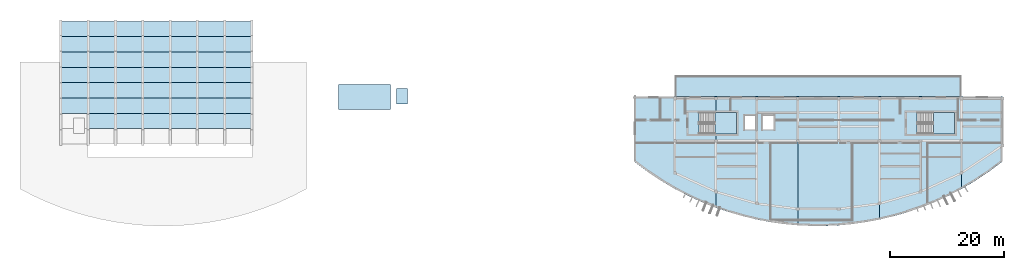
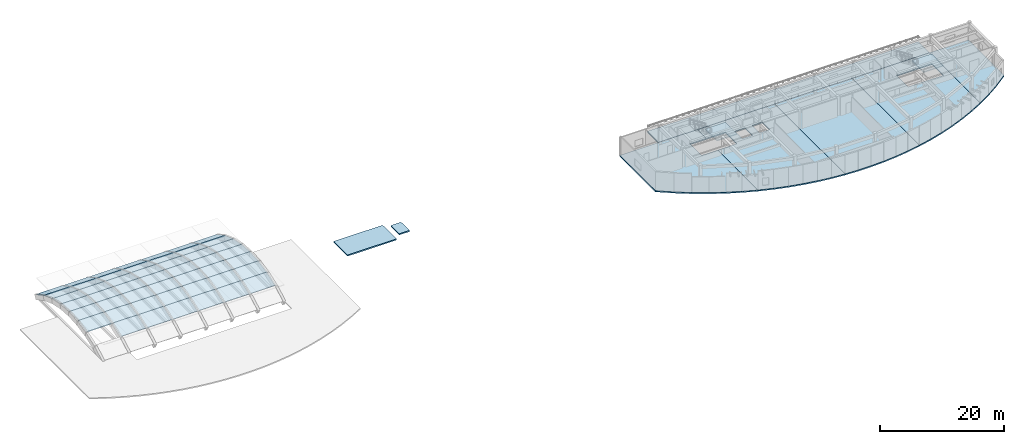
# One storey, part 3 of 11: 58 slabs, 2 elements without a shape of their own.
"""IFC4 building model written with IfcOpenShell, lengths in metres."""

from ifc_helpers import new_model, si_unit, direction, frame, origin, place, context, subcontext, project, spatial, polyline, outline, extrude, material, layer, layer_set, type_object, element, aggregate, save


model = new_model("IFC4")

# Units and contexts
model_context = context("Model", 3, precision=1e-05, world=origin(), true_north=direction((0.0, 1.0)))
body_context = subcontext(model_context, "Body", "Model", "MODEL_VIEW")
ifc_project = project(units=[si_unit("LENGTHUNIT", "METRE"), si_unit("AREAUNIT", "SQUARE_METRE"), si_unit("VOLUMEUNIT", "CUBIC_METRE"), si_unit("PLANEANGLEUNIT", "RADIAN"), si_unit("MASSUNIT", "GRAM", prefix="KILO")], contexts=[model_context])

# Site, building, storey
site_placement = place(None, origin())
site = spatial("IfcSite", under=ifc_project, at=site_placement, CompositionType="ELEMENT")
building_placement = place(site_placement, origin())
building = spatial("IfcBuilding", under=site, at=building_placement, Name="Brisavento Harbour Community Centre", CompositionType="ELEMENT")
storey_placement = place(building_placement, frame((0.0, 0.0, 16.800048828125)))
storey = spatial("IfcBuildingStorey", under=building, at=storey_placement, Name="L04", CompositionType="ELEMENT", Elevation=16.800048828125)

# Slabs
ifc_material_1 = material(Name="Concrete C35/45", Category="concrete")
ifc_layer_1 = layer(ifc_material_1, 0.239990234375, Name="Concrete C35/45")
ifc_layer_set_1 = layer_set([ifc_layer_1], Name="Concrete C35/45")
slab_type_1 = type_object("IfcSlabType", Name="SLB-FLR-240", PredefinedType="FLOOR", material=ifc_layer_set_1)
slab_1_placement = place(storey_placement, frame((0.0, 0.0, -0.239990234375)))
element("IfcSlab", 1, at=slab_1_placement, inside=storey, type_object=slab_type_1, Name="L04 V3 structural floor slab 051", PredefinedType="FLOOR", context=body_context, shape_type="SweptSolid", body=[
    extrude(outline(polyline([(108.0, 22.800048828125), (108.0, 11.32763671875), (110.39990234375, 9.526611328125), (112.800048828125, 7.92919921875), (115.199951171875, 6.51416015625), (117.60009765625, 5.264892578125), (120.0, 4.168701171875), (122.39990234375, 3.21484375), (122.39990234375, 16.2080078125), (119.407958984375, 16.2080078125), (119.407958984375, 19.94189453125), (122.39990234375, 19.94189453125), (122.39990234375, 22.800048828125), (108.0, 22.800048828125)])), origin(), (0.0, 0.0, 1.0), 0.239990234375),
])
slab_2_placement = place(storey_placement, frame((0.0, 0.0, -0.239990234375)))
element("IfcSlab", 2, at=slab_2_placement, inside=storey, type_object=slab_type_1, Name="L04 V3 structural floor slab 052", PredefinedType="FLOOR", context=body_context, shape_type="SweptSolid", body=[
    extrude(outline(polyline([(122.39990234375, 22.800048828125), (122.39990234375, 19.94189453125), (125.991943359375, 19.94189453125), (125.991943359375, 16.2080078125), (122.39990234375, 16.2080078125), (122.39990234375, 3.21484375), (124.800048828125, 2.395263671875), (127.199951171875, 1.703369140625), (129.60009765625, 1.1337890625), (132.0, 0.682861328125), (134.39990234375, 0.347412109375), (136.800048828125, 0.124755859375), (136.800048828125, 22.800048828125), (122.39990234375, 22.800048828125)]), holes=[polyline([(127.449951171875, 19.39990234375), (129.35009765625, 19.39990234375), (129.35009765625, 17.0), (127.449951171875, 17.0), (127.449951171875, 19.39990234375)]), polyline([(130.64990234375, 19.39990234375), (132.550048828125, 19.39990234375), (132.550048828125, 17.0), (130.64990234375, 17.0), (130.64990234375, 19.39990234375)])]), origin(), (0.0, 0.0, 1.0), 0.239990234375),
])
slab_3_placement = place(storey_placement, frame((0.0, 0.0, -0.239990234375)))
element("IfcSlab", 3, at=slab_3_placement, inside=storey, type_object=slab_type_1, Name="L04 V3 structural floor slab 053", PredefinedType="FLOOR", context=body_context, shape_type="SweptSolid", body=[
    extrude(outline(polyline([(136.800048828125, 22.800048828125), (136.800048828125, 0.124755859375), (139.199951171875, 0.013916015625), (141.60009765625, 0.013916015625), (144.0, 0.124755859375), (146.39990234375, 0.347412109375), (148.800048828125, 0.682861328125), (151.199951171875, 1.1337890625), (151.199951171875, 22.800048828125), (136.800048828125, 22.800048828125)])), origin(), (0.0, 0.0, 1.0), 0.239990234375),
])
slab_4_placement = place(storey_placement, frame((0.0, 0.0, -0.239990234375)))
element("IfcSlab", 4, at=slab_4_placement, inside=storey, type_object=slab_type_1, Name="L04 V3 structural floor slab 054", PredefinedType="FLOOR", context=body_context, shape_type="SweptSolid", body=[
    extrude(outline(polyline([(151.199951171875, 22.800048828125), (151.199951171875, 1.1337890625), (153.60009765625, 1.703369140625), (156.0, 2.395263671875), (158.39990234375, 3.21484375), (160.800048828125, 4.168701171875), (163.199951171875, 5.264892578125), (165.60009765625, 6.51416015625), (165.60009765625, 22.800048828125), (151.199951171875, 22.800048828125)]), holes=[polyline([(157.80810546875, 19.94189453125), (164.39208984375, 19.94189453125), (164.39208984375, 16.2080078125), (157.80810546875, 16.2080078125), (157.80810546875, 19.94189453125)])]), origin(), (0.0, 0.0, 1.0), 0.239990234375),
])
slab_5_placement = place(storey_placement, frame((0.0, 0.0, -0.239990234375)))
element("IfcSlab", 5, at=slab_5_placement, inside=storey, type_object=slab_type_1, Name="L04 V3 structural floor slab 055", PredefinedType="FLOOR", context=body_context, shape_type="SweptSolid", body=[
    extrude(outline(polyline([(165.60009765625, 22.800048828125), (165.60009765625, 6.51416015625), (168.0, 7.92919921875), (170.39990234375, 9.526611328125), (172.800048828125, 11.32763671875), (172.800048828125, 22.800048828125), (165.60009765625, 22.800048828125)])), origin(), (0.0, 0.0, 1.0), 0.239990234375),
])

# Stair, slab
stair_type = type_object("IfcStairType", Name="STR-DL-3900", PredefinedType="HALF_TURN_STAIR", material=ifc_material_1)
stair_1_placement = place(storey_placement, origin())
stair_1 = element("IfcStair", 6, at=stair_1_placement, inside=storey, type_object=stair_type, Name="L04 ST-04", PredefinedType="HALF_TURN_STAIR")
ifc_layer_2 = layer(ifc_material_1, 0.199951171875, Name="Concrete C35/45")
ifc_layer_set_2 = layer_set([ifc_layer_2], Name="Concrete C35/45")
slab_type_2 = type_object("IfcSlabType", Name="SLB-LND-200", PredefinedType="LANDING", material=ifc_layer_set_2)
slab_6_placement = place(storey_placement, frame((0.0, 0.0, 1.75)))
slab_6 = element("IfcSlab", 7, at=slab_6_placement, type_object=slab_type_2, Name="ST-04 landing 1", PredefinedType="LANDING", context=body_context, shape_type="SweptSolid", body=[
    extrude(outline(polyline([(122.25, 16.199951171875), (126.0, 16.199951171875), (126.0, 19.949951171875), (122.25, 19.949951171875), (122.25, 16.199951171875)])), origin(), (0.0, 0.0, 1.0), 0.199951171875),
])
aggregate(stair_1, [slab_6])

stair_2_placement = place(storey_placement, origin())
stair_2 = element("IfcStair", 8, at=stair_2_placement, inside=storey, type_object=stair_type, Name="L04 ST-05", PredefinedType="HALF_TURN_STAIR")
slab_7_placement = place(storey_placement, frame((0.0, 0.0, 1.75)))
slab_7 = element("IfcSlab", 9, at=slab_7_placement, type_object=slab_type_2, Name="ST-05 landing 1", PredefinedType="LANDING", context=body_context, shape_type="SweptSolid", body=[
    extrude(outline(polyline([(160.64990234375, 16.199951171875), (164.39990234375, 16.199951171875), (164.39990234375, 19.949951171875), (160.64990234375, 19.949951171875), (160.64990234375, 16.199951171875)])), origin(), (0.0, 0.0, 1.0), 0.199951171875),
])
aggregate(stair_2, [slab_7])

# Slabs
ifc_layer_3 = layer(ifc_material_1, 0.239990234375, Name="Concrete C35/45")
ifc_layer_set_3 = layer_set([ifc_layer_3], Name="Concrete C35/45")
slab_type_3 = type_object("IfcSlabType", Name="SLB-RF-240", PredefinedType="ROOF", material=ifc_layer_set_3)
slab_8_placement = place(storey_placement, frame((0.0, 0.0, -0.239990234375)))
element("IfcSlab", 10, at=slab_8_placement, inside=storey, type_object=slab_type_3, Name="L04 stair core C2 head roof slab", PredefinedType="ROOF", context=body_context, shape_type="SweptSolid", body=[
    extrude(outline(polyline([(56.050048828125, 20.449951171875), (65.14990234375, 20.449951171875), (65.14990234375, 24.89990234375), (56.050048828125, 24.89990234375), (56.050048828125, 20.449951171875)])), origin(), (0.0, 0.0, 1.0), 0.239990234375),
])
slab_9_placement = place(storey_placement, frame((0.0, 0.0, -0.239990234375)))
element("IfcSlab", 11, at=slab_9_placement, inside=storey, type_object=slab_type_3, Name="Lift LC-04 shaft overrun cap slab", PredefinedType="ROOF", context=body_context, shape_type="SweptSolid", body=[
    extrude(outline(polyline([(66.25, 21.449951171875), (68.14990234375, 21.449951171875), (68.14990234375, 24.14990234375), (66.25, 24.14990234375), (66.25, 21.449951171875)])), origin(), (0.0, 0.0, 1.0), 0.239990234375),
])
ifc_layer_4 = layer(ifc_material_1, 0.22998046875, Name="Concrete C35/45")
ifc_layer_set_4 = layer_set([ifc_layer_4], Name="Concrete C35/45")
slab_type_4 = type_object("IfcSlabType", Name="SLB-TER-230", PredefinedType="FLOOR", material=ifc_layer_set_4)
slab_10_placement = place(storey_placement, frame((0.0, 0.0, -0.22998046875)))
element("IfcSlab", 12, at=slab_10_placement, inside=storey, type_object=slab_type_4, Name="L04 V3 Courtyard Reading Terrace deck", PredefinedType="FLOOR", context=body_context, shape_type="SweptSolid", body=[
    extrude(outline(polyline([(115.199951171875, 22.800048828125), (165.60009765625, 22.800048828125), (165.60009765625, 26.39990234375), (115.199951171875, 26.39990234375), (115.199951171875, 22.800048828125)])), origin(), (0.0, 0.0, 1.0), 0.22998046875),
])
ifc_material_2 = material(Name="Concrete C40/50", Category="concrete")
ifc_layer_5 = layer(ifc_material_2, 0.159912109375, Name="Concrete C40/50")
ifc_layer_set_5 = layer_set([ifc_layer_5], Name="Concrete C40/50")
slab_type_5 = type_object("IfcSlabType", Name="SLB-VAULT-160", PredefinedType="ROOF", material=ifc_layer_set_5)
slab_11_placement = place(storey_placement, frame((7.199951171875, 19.800048828125, 2.450439453125), z_axis=(0.0, -0.204721170792, 0.978820331945), x_axis=(1.0, 0.0, 0.0)))
element("IfcSlab", 13, at=slab_11_placement, inside=storey, type_object=slab_type_5, Name="Main Hall barrel-vault shell bay 1 facet 3", PredefinedType="ROOF", context=body_context, shape_type="SweptSolid", body=[
    extrude(outline(polyline([(0.0, 0.0), (4.800048828125, 0.0), (4.800048828125, 2.7583725876526426), (0.0, 2.7583725876526426), (0.0, 0.0)])), origin(), (0.0, 0.0, -1.0), 0.159912109375),
])
for number, where, z_axis, x_axis, name in (
    (14, (7.199951171875, 22.5, 3.01513671875), (0.0, -0.068291231536, 0.997665428736), (1.0, 0.0, 0.0), "Main Hall barrel-vault shell bay 1 facet 4"),
    (15, (7.199951171875, 25.199951171875, 3.199951171875), (0.0, 0.068291231536, 0.997665428736), (1.0, 0.0, 0.0), "Main Hall barrel-vault shell bay 1 facet 5"),
):
    element("IfcSlab", number, at=place(storey_placement, frame(where, z_axis=z_axis, x_axis=x_axis)), inside=storey, type_object=slab_type_5, Name=name, PredefinedType="ROOF", context=body_context, shape_type="SweptSolid", body=[
        extrude(outline(polyline([(0.0, 0.0), (4.800048828125, 0.0), (4.800048828125, 2.706269150064915), (0.0, 2.706269150064915), (0.0, 0.0)])), origin(), (0.0, 0.0, -1.0), 0.159912109375),
    ])
slab_12_placement = place(storey_placement, frame((7.199951171875, 27.89990234375, 3.01513671875), z_axis=(0.0, 0.20470343641, 0.97882404094), x_axis=(1.0, 0.0, 0.0)))
element("IfcSlab", 16, at=slab_12_placement, inside=storey, type_object=slab_type_5, Name="Main Hall barrel-vault shell bay 1 facet 6", PredefinedType="ROOF", context=body_context, shape_type="SweptSolid", body=[
    extrude(outline(polyline([(0.0, 0.0), (4.800048828125, 0.0), (4.800048828125, 2.7586115579130244), (0.0, 2.7586115579130244), (0.0, 0.0)])), origin(), (0.0, 0.0, -1.0), 0.159912109375),
])
slab_13_placement = place(storey_placement, frame((7.199951171875, 30.60009765625, 2.450439453125), z_axis=(0.0, 0.341408660988, 0.939914956899), x_axis=(1.0, 0.0, 0.0)))
element("IfcSlab", 17, at=slab_13_placement, inside=storey, type_object=slab_type_5, Name="Main Hall barrel-vault shell bay 1 facet 7", PredefinedType="ROOF", context=body_context, shape_type="SweptSolid", body=[
    extrude(outline(polyline([(0.0, 0.0), (4.800048828125, 0.0), (4.800048828125, 2.872548364144149), (0.0, 2.872548364144149), (0.0, 0.0)])), origin(), (0.0, 0.0, -1.0), 0.159912109375),
])
slab_14_placement = place(storey_placement, frame((7.199951171875, 33.300048828125, 1.4697265625), z_axis=(0.0, 0.478106323748, 0.878301965836), x_axis=(1.0, 0.0, 0.0)))
element("IfcSlab", 18, at=slab_14_placement, inside=storey, type_object=slab_type_5, Name="Main Hall barrel-vault shell bay 1 facet 8", PredefinedType="ROOF", context=body_context, shape_type="SweptSolid", body=[
    extrude(outline(polyline([(0.0, 0.0), (4.800048828125, 0.0), (4.800048828125, 3.0740579856318995), (0.0, 3.0740579856318995), (0.0, 0.0)])), origin(), (0.0, 0.0, -1.0), 0.159912109375),
])
slab_15_placement = place(storey_placement, frame((12.0, 17.10009765625, 1.4697265625), z_axis=(0.0, -0.341408660988, 0.939914956899), x_axis=(1.0, 0.0, 0.0)))
element("IfcSlab", 19, at=slab_15_placement, inside=storey, type_object=slab_type_5, Name="Main Hall barrel-vault shell bay 2 facet 2", PredefinedType="ROOF", context=body_context, shape_type="SweptSolid", body=[
    extrude(outline(polyline([(0.0, 0.0), (4.800048828125, 0.0), (4.800048828125, 2.872548364144149), (0.0, 2.872548364144149), (0.0, 0.0)])), origin(), (0.0, 0.0, -1.0), 0.159912109375),
])
slab_16_placement = place(storey_placement, frame((12.0, 19.800048828125, 2.450439453125), z_axis=(0.0, -0.204721170792, 0.978820331945), x_axis=(1.0, 0.0, 0.0)))
element("IfcSlab", 20, at=slab_16_placement, inside=storey, type_object=slab_type_5, Name="Main Hall barrel-vault shell bay 2 facet 3", PredefinedType="ROOF", context=body_context, shape_type="SweptSolid", body=[
    extrude(outline(polyline([(0.0, 0.0), (4.800048828125, 0.0), (4.800048828125, 2.7583725876526426), (0.0, 2.7583725876526426), (0.0, 0.0)])), origin(), (0.0, 0.0, -1.0), 0.159912109375),
])
for number, where, z_axis, x_axis, name in (
    (21, (12.0, 22.5, 3.01513671875), (0.0, -0.068291231536, 0.997665428736), (1.0, 0.0, 0.0), "Main Hall barrel-vault shell bay 2 facet 4"),
    (22, (12.0, 25.199951171875, 3.199951171875), (0.0, 0.068291231536, 0.997665428736), (1.0, 0.0, 0.0), "Main Hall barrel-vault shell bay 2 facet 5"),
):
    element("IfcSlab", number, at=place(storey_placement, frame(where, z_axis=z_axis, x_axis=x_axis)), inside=storey, type_object=slab_type_5, Name=name, PredefinedType="ROOF", context=body_context, shape_type="SweptSolid", body=[
        extrude(outline(polyline([(0.0, 0.0), (4.800048828125, 0.0), (4.800048828125, 2.706269150064915), (0.0, 2.706269150064915), (0.0, 0.0)])), origin(), (0.0, 0.0, -1.0), 0.159912109375),
    ])
slab_17_placement = place(storey_placement, frame((12.0, 27.89990234375, 3.01513671875), z_axis=(0.0, 0.20470343641, 0.97882404094), x_axis=(1.0, 0.0, 0.0)))
element("IfcSlab", 23, at=slab_17_placement, inside=storey, type_object=slab_type_5, Name="Main Hall barrel-vault shell bay 2 facet 6", PredefinedType="ROOF", context=body_context, shape_type="SweptSolid", body=[
    extrude(outline(polyline([(0.0, 0.0), (4.800048828125, 0.0), (4.800048828125, 2.7586115579130244), (0.0, 2.7586115579130244), (0.0, 0.0)])), origin(), (0.0, 0.0, -1.0), 0.159912109375),
])
slab_18_placement = place(storey_placement, frame((12.0, 30.60009765625, 2.450439453125), z_axis=(0.0, 0.341408660988, 0.939914956899), x_axis=(1.0, 0.0, 0.0)))
element("IfcSlab", 24, at=slab_18_placement, inside=storey, type_object=slab_type_5, Name="Main Hall barrel-vault shell bay 2 facet 7", PredefinedType="ROOF", context=body_context, shape_type="SweptSolid", body=[
    extrude(outline(polyline([(0.0, 0.0), (4.800048828125, 0.0), (4.800048828125, 2.872548364144149), (0.0, 2.872548364144149), (0.0, 0.0)])), origin(), (0.0, 0.0, -1.0), 0.159912109375),
])
slab_19_placement = place(storey_placement, frame((12.0, 33.300048828125, 1.4697265625), z_axis=(0.0, 0.478106323748, 0.878301965836), x_axis=(1.0, 0.0, 0.0)))
element("IfcSlab", 25, at=slab_19_placement, inside=storey, type_object=slab_type_5, Name="Main Hall barrel-vault shell bay 2 facet 8", PredefinedType="ROOF", context=body_context, shape_type="SweptSolid", body=[
    extrude(outline(polyline([(0.0, 0.0), (4.800048828125, 0.0), (4.800048828125, 3.0740579856318995), (0.0, 3.0740579856318995), (0.0, 0.0)])), origin(), (0.0, 0.0, -1.0), 0.159912109375),
])
slab_20_placement = place(storey_placement, frame((16.800048828125, 17.10009765625, 1.4697265625), z_axis=(0.0, -0.341408660988, 0.939914956899), x_axis=(1.0, 0.0, 0.0)))
element("IfcSlab", 26, at=slab_20_placement, inside=storey, type_object=slab_type_5, Name="Main Hall barrel-vault shell bay 3 facet 2", PredefinedType="ROOF", context=body_context, shape_type="SweptSolid", body=[
    extrude(outline(polyline([(0.0, 0.0), (4.800048828125, 0.0), (4.800048828125, 2.872548364144149), (0.0, 2.872548364144149), (0.0, 0.0)])), origin(), (0.0, 0.0, -1.0), 0.159912109375),
])
slab_21_placement = place(storey_placement, frame((16.800048828125, 19.800048828125, 2.450439453125), z_axis=(0.0, -0.204721170792, 0.978820331945), x_axis=(1.0, 0.0, 0.0)))
element("IfcSlab", 27, at=slab_21_placement, inside=storey, type_object=slab_type_5, Name="Main Hall barrel-vault shell bay 3 facet 3", PredefinedType="ROOF", context=body_context, shape_type="SweptSolid", body=[
    extrude(outline(polyline([(0.0, 0.0), (4.800048828125, 0.0), (4.800048828125, 2.7583725876526426), (0.0, 2.7583725876526426), (0.0, 0.0)])), origin(), (0.0, 0.0, -1.0), 0.159912109375),
])
for number, where, z_axis, x_axis, name in (
    (28, (16.800048828125, 22.5, 3.01513671875), (0.0, -0.068291231536, 0.997665428736), (1.0, 0.0, 0.0), "Main Hall barrel-vault shell bay 3 facet 4"),
    (29, (16.800048828125, 25.199951171875, 3.199951171875), (0.0, 0.068291231536, 0.997665428736), (1.0, 0.0, 0.0), "Main Hall barrel-vault shell bay 3 facet 5"),
):
    element("IfcSlab", number, at=place(storey_placement, frame(where, z_axis=z_axis, x_axis=x_axis)), inside=storey, type_object=slab_type_5, Name=name, PredefinedType="ROOF", context=body_context, shape_type="SweptSolid", body=[
        extrude(outline(polyline([(0.0, 0.0), (4.800048828125, 0.0), (4.800048828125, 2.706269150064915), (0.0, 2.706269150064915), (0.0, 0.0)])), origin(), (0.0, 0.0, -1.0), 0.159912109375),
    ])
slab_22_placement = place(storey_placement, frame((16.800048828125, 27.89990234375, 3.01513671875), z_axis=(0.0, 0.20470343641, 0.97882404094), x_axis=(1.0, 0.0, 0.0)))
element("IfcSlab", 30, at=slab_22_placement, inside=storey, type_object=slab_type_5, Name="Main Hall barrel-vault shell bay 3 facet 6", PredefinedType="ROOF", context=body_context, shape_type="SweptSolid", body=[
    extrude(outline(polyline([(0.0, 0.0), (4.800048828125, 0.0), (4.800048828125, 2.7586115579130244), (0.0, 2.7586115579130244), (0.0, 0.0)])), origin(), (0.0, 0.0, -1.0), 0.159912109375),
])
slab_23_placement = place(storey_placement, frame((16.800048828125, 30.60009765625, 2.450439453125), z_axis=(0.0, 0.341408660988, 0.939914956899), x_axis=(1.0, 0.0, 0.0)))
element("IfcSlab", 31, at=slab_23_placement, inside=storey, type_object=slab_type_5, Name="Main Hall barrel-vault shell bay 3 facet 7", PredefinedType="ROOF", context=body_context, shape_type="SweptSolid", body=[
    extrude(outline(polyline([(0.0, 0.0), (4.800048828125, 0.0), (4.800048828125, 2.872548364144149), (0.0, 2.872548364144149), (0.0, 0.0)])), origin(), (0.0, 0.0, -1.0), 0.159912109375),
])
slab_24_placement = place(storey_placement, frame((16.800048828125, 33.300048828125, 1.4697265625), z_axis=(0.0, 0.478106323748, 0.878301965836), x_axis=(1.0, 0.0, 0.0)))
element("IfcSlab", 32, at=slab_24_placement, inside=storey, type_object=slab_type_5, Name="Main Hall barrel-vault shell bay 3 facet 8", PredefinedType="ROOF", context=body_context, shape_type="SweptSolid", body=[
    extrude(outline(polyline([(0.0, 0.0), (4.800048828125, 0.0), (4.800048828125, 3.0740579856318995), (0.0, 3.0740579856318995), (0.0, 0.0)])), origin(), (0.0, 0.0, -1.0), 0.159912109375),
])
slab_25_placement = place(storey_placement, frame((21.60009765625, 17.10009765625, 1.4697265625), z_axis=(0.0, -0.341408660988, 0.939914956899), x_axis=(1.0, 0.0, 0.0)))
element("IfcSlab", 33, at=slab_25_placement, inside=storey, type_object=slab_type_5, Name="Main Hall barrel-vault shell bay 4 facet 2", PredefinedType="ROOF", context=body_context, shape_type="SweptSolid", body=[
    extrude(outline(polyline([(0.0, 0.0), (4.7998046875, 0.0), (4.7998046875, 2.872548364144149), (0.0, 2.872548364144149), (0.0, 0.0)])), origin(), (0.0, 0.0, -1.0), 0.159912109375),
])
slab_26_placement = place(storey_placement, frame((21.60009765625, 19.800048828125, 2.450439453125), z_axis=(0.0, -0.204721170792, 0.978820331945), x_axis=(1.0, 0.0, 0.0)))
element("IfcSlab", 34, at=slab_26_placement, inside=storey, type_object=slab_type_5, Name="Main Hall barrel-vault shell bay 4 facet 3", PredefinedType="ROOF", context=body_context, shape_type="SweptSolid", body=[
    extrude(outline(polyline([(0.0, 0.0), (4.7998046875, 0.0), (4.7998046875, 2.758372587652643), (0.0, 2.758372587652643), (0.0, 0.0)])), origin(), (0.0, 0.0, -1.0), 0.159912109375),
])
for number, where, z_axis, x_axis, name in (
    (35, (21.60009765625, 22.5, 3.01513671875), (0.0, -0.068291231536, 0.997665428736), (1.0, 0.0, 0.0), "Main Hall barrel-vault shell bay 4 facet 4"),
    (36, (21.60009765625, 25.199951171875, 3.199951171875), (0.0, 0.068291231536, 0.997665428736), (1.0, 0.0, 0.0), "Main Hall barrel-vault shell bay 4 facet 5"),
):
    element("IfcSlab", number, at=place(storey_placement, frame(where, z_axis=z_axis, x_axis=x_axis)), inside=storey, type_object=slab_type_5, Name=name, PredefinedType="ROOF", context=body_context, shape_type="SweptSolid", body=[
        extrude(outline(polyline([(0.0, 0.0), (4.7998046875, 0.0), (4.7998046875, 2.706269150064915), (0.0, 2.706269150064915), (0.0, 0.0)])), origin(), (0.0, 0.0, -1.0), 0.159912109375),
    ])
slab_27_placement = place(storey_placement, frame((21.60009765625, 27.89990234375, 3.01513671875), z_axis=(0.0, 0.20470343641, 0.97882404094), x_axis=(1.0, 0.0, 0.0)))
element("IfcSlab", 37, at=slab_27_placement, inside=storey, type_object=slab_type_5, Name="Main Hall barrel-vault shell bay 4 facet 6", PredefinedType="ROOF", context=body_context, shape_type="SweptSolid", body=[
    extrude(outline(polyline([(0.0, 0.0), (4.7998046875, 0.0), (4.7998046875, 2.758611557913025), (0.0, 2.758611557913025), (0.0, 0.0)])), origin(), (0.0, 0.0, -1.0), 0.159912109375),
])
slab_28_placement = place(storey_placement, frame((21.60009765625, 30.60009765625, 2.450439453125), z_axis=(0.0, 0.341408660988, 0.939914956899), x_axis=(1.0, 0.0, 0.0)))
element("IfcSlab", 38, at=slab_28_placement, inside=storey, type_object=slab_type_5, Name="Main Hall barrel-vault shell bay 4 facet 7", PredefinedType="ROOF", context=body_context, shape_type="SweptSolid", body=[
    extrude(outline(polyline([(0.0, 0.0), (4.7998046875, 0.0), (4.7998046875, 2.872548364144149), (0.0, 2.872548364144149), (0.0, 0.0)])), origin(), (0.0, 0.0, -1.0), 0.159912109375),
])
slab_29_placement = place(storey_placement, frame((21.60009765625, 33.300048828125, 1.4697265625), z_axis=(0.0, 0.478106323748, 0.878301965836), x_axis=(1.0, 0.0, 0.0)))
element("IfcSlab", 39, at=slab_29_placement, inside=storey, type_object=slab_type_5, Name="Main Hall barrel-vault shell bay 4 facet 8", PredefinedType="ROOF", context=body_context, shape_type="SweptSolid", body=[
    extrude(outline(polyline([(0.0, 0.0), (4.7998046875, 0.0), (4.7998046875, 3.0740579856318995), (0.0, 3.0740579856318995), (0.0, 0.0)])), origin(), (0.0, 0.0, -1.0), 0.159912109375),
])
slab_30_placement = place(storey_placement, frame((26.39990234375, 17.10009765625, 1.4697265625), z_axis=(0.0, -0.341408660988, 0.939914956899), x_axis=(1.0, 0.0, 0.0)))
element("IfcSlab", 40, at=slab_30_placement, inside=storey, type_object=slab_type_5, Name="Main Hall barrel-vault shell bay 5 facet 2", PredefinedType="ROOF", context=body_context, shape_type="SweptSolid", body=[
    extrude(outline(polyline([(0.0, 0.0), (4.800048828125, 0.0), (4.800048828125, 2.872548364144149), (0.0, 2.872548364144149), (0.0, 0.0)])), origin(), (0.0, 0.0, -1.0), 0.159912109375),
])
slab_31_placement = place(storey_placement, frame((26.39990234375, 19.800048828125, 2.450439453125), z_axis=(0.0, -0.204721170792, 0.978820331945), x_axis=(1.0, 0.0, 0.0)))
element("IfcSlab", 41, at=slab_31_placement, inside=storey, type_object=slab_type_5, Name="Main Hall barrel-vault shell bay 5 facet 3", PredefinedType="ROOF", context=body_context, shape_type="SweptSolid", body=[
    extrude(outline(polyline([(0.0, 0.0), (4.800048828125, 0.0), (4.800048828125, 2.7583725876526426), (0.0, 2.7583725876526426), (0.0, 0.0)])), origin(), (0.0, 0.0, -1.0), 0.159912109375),
])
for number, where, z_axis, x_axis, name in (
    (42, (26.39990234375, 22.5, 3.01513671875), (0.0, -0.068291231536, 0.997665428736), (1.0, 0.0, 0.0), "Main Hall barrel-vault shell bay 5 facet 4"),
    (43, (26.39990234375, 25.199951171875, 3.199951171875), (0.0, 0.068291231536, 0.997665428736), (1.0, 0.0, 0.0), "Main Hall barrel-vault shell bay 5 facet 5"),
):
    element("IfcSlab", number, at=place(storey_placement, frame(where, z_axis=z_axis, x_axis=x_axis)), inside=storey, type_object=slab_type_5, Name=name, PredefinedType="ROOF", context=body_context, shape_type="SweptSolid", body=[
        extrude(outline(polyline([(0.0, 0.0), (4.800048828125, 0.0), (4.800048828125, 2.706269150064915), (0.0, 2.706269150064915), (0.0, 0.0)])), origin(), (0.0, 0.0, -1.0), 0.159912109375),
    ])
slab_32_placement = place(storey_placement, frame((26.39990234375, 27.89990234375, 3.01513671875), z_axis=(0.0, 0.20470343641, 0.97882404094), x_axis=(1.0, 0.0, 0.0)))
element("IfcSlab", 44, at=slab_32_placement, inside=storey, type_object=slab_type_5, Name="Main Hall barrel-vault shell bay 5 facet 6", PredefinedType="ROOF", context=body_context, shape_type="SweptSolid", body=[
    extrude(outline(polyline([(0.0, 0.0), (4.800048828125, 0.0), (4.800048828125, 2.7586115579130244), (0.0, 2.7586115579130244), (0.0, 0.0)])), origin(), (0.0, 0.0, -1.0), 0.159912109375),
])
slab_33_placement = place(storey_placement, frame((26.39990234375, 30.60009765625, 2.450439453125), z_axis=(0.0, 0.341408660988, 0.939914956899), x_axis=(1.0, 0.0, 0.0)))
element("IfcSlab", 45, at=slab_33_placement, inside=storey, type_object=slab_type_5, Name="Main Hall barrel-vault shell bay 5 facet 7", PredefinedType="ROOF", context=body_context, shape_type="SweptSolid", body=[
    extrude(outline(polyline([(0.0, 0.0), (4.800048828125, 0.0), (4.800048828125, 2.872548364144149), (0.0, 2.872548364144149), (0.0, 0.0)])), origin(), (0.0, 0.0, -1.0), 0.159912109375),
])
slab_34_placement = place(storey_placement, frame((26.39990234375, 33.300048828125, 1.4697265625), z_axis=(0.0, 0.478106323748, 0.878301965836), x_axis=(1.0, 0.0, 0.0)))
element("IfcSlab", 46, at=slab_34_placement, inside=storey, type_object=slab_type_5, Name="Main Hall barrel-vault shell bay 5 facet 8", PredefinedType="ROOF", context=body_context, shape_type="SweptSolid", body=[
    extrude(outline(polyline([(0.0, 0.0), (4.800048828125, 0.0), (4.800048828125, 3.0740579856318995), (0.0, 3.0740579856318995), (0.0, 0.0)])), origin(), (0.0, 0.0, -1.0), 0.159912109375),
])
slab_35_placement = place(storey_placement, frame((31.199951171875, 17.10009765625, 1.4697265625), z_axis=(0.0, -0.341408660988, 0.939914956899), x_axis=(1.0, 0.0, 0.0)))
element("IfcSlab", 47, at=slab_35_placement, inside=storey, type_object=slab_type_5, Name="Main Hall barrel-vault shell bay 6 facet 2", PredefinedType="ROOF", context=body_context, shape_type="SweptSolid", body=[
    extrude(outline(polyline([(0.0, 0.0), (4.800048828125, 0.0), (4.800048828125, 2.872548364144149), (0.0, 2.872548364144149), (0.0, 0.0)])), origin(), (0.0, 0.0, -1.0), 0.159912109375),
])
slab_36_placement = place(storey_placement, frame((31.199951171875, 19.800048828125, 2.450439453125), z_axis=(0.0, -0.204721170792, 0.978820331945), x_axis=(1.0, 0.0, 0.0)))
element("IfcSlab", 48, at=slab_36_placement, inside=storey, type_object=slab_type_5, Name="Main Hall barrel-vault shell bay 6 facet 3", PredefinedType="ROOF", context=body_context, shape_type="SweptSolid", body=[
    extrude(outline(polyline([(0.0, 0.0), (4.800048828125, 0.0), (4.800048828125, 2.7583725876526426), (0.0, 2.7583725876526426), (0.0, 0.0)])), origin(), (0.0, 0.0, -1.0), 0.159912109375),
])
for number, where, z_axis, x_axis, name in (
    (49, (31.199951171875, 22.5, 3.01513671875), (0.0, -0.068291231536, 0.997665428736), (1.0, 0.0, 0.0), "Main Hall barrel-vault shell bay 6 facet 4"),
    (50, (31.199951171875, 25.199951171875, 3.199951171875), (0.0, 0.068291231536, 0.997665428736), (1.0, 0.0, 0.0), "Main Hall barrel-vault shell bay 6 facet 5"),
):
    element("IfcSlab", number, at=place(storey_placement, frame(where, z_axis=z_axis, x_axis=x_axis)), inside=storey, type_object=slab_type_5, Name=name, PredefinedType="ROOF", context=body_context, shape_type="SweptSolid", body=[
        extrude(outline(polyline([(0.0, 0.0), (4.800048828125, 0.0), (4.800048828125, 2.706269150064915), (0.0, 2.706269150064915), (0.0, 0.0)])), origin(), (0.0, 0.0, -1.0), 0.159912109375),
    ])
slab_37_placement = place(storey_placement, frame((31.199951171875, 27.89990234375, 3.01513671875), z_axis=(0.0, 0.20470343641, 0.97882404094), x_axis=(1.0, 0.0, 0.0)))
element("IfcSlab", 51, at=slab_37_placement, inside=storey, type_object=slab_type_5, Name="Main Hall barrel-vault shell bay 6 facet 6", PredefinedType="ROOF", context=body_context, shape_type="SweptSolid", body=[
    extrude(outline(polyline([(0.0, 0.0), (4.800048828125, 0.0), (4.800048828125, 2.7586115579130244), (0.0, 2.7586115579130244), (0.0, 0.0)])), origin(), (0.0, 0.0, -1.0), 0.159912109375),
])
slab_38_placement = place(storey_placement, frame((31.199951171875, 30.60009765625, 2.450439453125), z_axis=(0.0, 0.341408660988, 0.939914956899), x_axis=(1.0, 0.0, 0.0)))
element("IfcSlab", 52, at=slab_38_placement, inside=storey, type_object=slab_type_5, Name="Main Hall barrel-vault shell bay 6 facet 7", PredefinedType="ROOF", context=body_context, shape_type="SweptSolid", body=[
    extrude(outline(polyline([(0.0, 0.0), (4.800048828125, 0.0), (4.800048828125, 2.872548364144149), (0.0, 2.872548364144149), (0.0, 0.0)])), origin(), (0.0, 0.0, -1.0), 0.159912109375),
])
slab_39_placement = place(storey_placement, frame((31.199951171875, 33.300048828125, 1.4697265625), z_axis=(0.0, 0.478106323748, 0.878301965836), x_axis=(1.0, 0.0, 0.0)))
element("IfcSlab", 53, at=slab_39_placement, inside=storey, type_object=slab_type_5, Name="Main Hall barrel-vault shell bay 6 facet 8", PredefinedType="ROOF", context=body_context, shape_type="SweptSolid", body=[
    extrude(outline(polyline([(0.0, 0.0), (4.800048828125, 0.0), (4.800048828125, 3.0740579856318995), (0.0, 3.0740579856318995), (0.0, 0.0)])), origin(), (0.0, 0.0, -1.0), 0.159912109375),
])
slab_40_placement = place(storey_placement, frame((36.0, 17.10009765625, 1.4697265625), z_axis=(0.0, -0.341408660988, 0.939914956899), x_axis=(1.0, 0.0, 0.0)))
element("IfcSlab", 54, at=slab_40_placement, inside=storey, type_object=slab_type_5, Name="Main Hall barrel-vault shell bay 7 facet 2", PredefinedType="ROOF", context=body_context, shape_type="SweptSolid", body=[
    extrude(outline(polyline([(0.0, 0.0), (4.800048828125, 0.0), (4.800048828125, 2.872548364144149), (0.0, 2.872548364144149), (0.0, 0.0)])), origin(), (0.0, 0.0, -1.0), 0.159912109375),
])
slab_41_placement = place(storey_placement, frame((36.0, 19.800048828125, 2.450439453125), z_axis=(0.0, -0.204721170792, 0.978820331945), x_axis=(1.0, 0.0, 0.0)))
element("IfcSlab", 55, at=slab_41_placement, inside=storey, type_object=slab_type_5, Name="Main Hall barrel-vault shell bay 7 facet 3", PredefinedType="ROOF", context=body_context, shape_type="SweptSolid", body=[
    extrude(outline(polyline([(0.0, 0.0), (4.800048828125, 0.0), (4.800048828125, 2.7583725876526426), (0.0, 2.7583725876526426), (0.0, 0.0)])), origin(), (0.0, 0.0, -1.0), 0.159912109375),
])
for number, where, z_axis, x_axis, name in (
    (56, (36.0, 22.5, 3.01513671875), (0.0, -0.068291231536, 0.997665428736), (1.0, 0.0, 0.0), "Main Hall barrel-vault shell bay 7 facet 4"),
    (57, (36.0, 25.199951171875, 3.199951171875), (0.0, 0.068291231536, 0.997665428736), (1.0, 0.0, 0.0), "Main Hall barrel-vault shell bay 7 facet 5"),
):
    element("IfcSlab", number, at=place(storey_placement, frame(where, z_axis=z_axis, x_axis=x_axis)), inside=storey, type_object=slab_type_5, Name=name, PredefinedType="ROOF", context=body_context, shape_type="SweptSolid", body=[
        extrude(outline(polyline([(0.0, 0.0), (4.800048828125, 0.0), (4.800048828125, 2.706269150064915), (0.0, 2.706269150064915), (0.0, 0.0)])), origin(), (0.0, 0.0, -1.0), 0.159912109375),
    ])
slab_42_placement = place(storey_placement, frame((36.0, 27.89990234375, 3.01513671875), z_axis=(0.0, 0.20470343641, 0.97882404094), x_axis=(1.0, 0.0, 0.0)))
element("IfcSlab", 58, at=slab_42_placement, inside=storey, type_object=slab_type_5, Name="Main Hall barrel-vault shell bay 7 facet 6", PredefinedType="ROOF", context=body_context, shape_type="SweptSolid", body=[
    extrude(outline(polyline([(0.0, 0.0), (4.800048828125, 0.0), (4.800048828125, 2.7586115579130244), (0.0, 2.7586115579130244), (0.0, 0.0)])), origin(), (0.0, 0.0, -1.0), 0.159912109375),
])
slab_43_placement = place(storey_placement, frame((36.0, 30.60009765625, 2.450439453125), z_axis=(0.0, 0.341408660988, 0.939914956899), x_axis=(1.0, 0.0, 0.0)))
element("IfcSlab", 59, at=slab_43_placement, inside=storey, type_object=slab_type_5, Name="Main Hall barrel-vault shell bay 7 facet 7", PredefinedType="ROOF", context=body_context, shape_type="SweptSolid", body=[
    extrude(outline(polyline([(0.0, 0.0), (4.800048828125, 0.0), (4.800048828125, 2.872548364144149), (0.0, 2.872548364144149), (0.0, 0.0)])), origin(), (0.0, 0.0, -1.0), 0.159912109375),
])
slab_44_placement = place(storey_placement, frame((36.0, 33.300048828125, 1.4697265625), z_axis=(0.0, 0.478106323748, 0.878301965836), x_axis=(1.0, 0.0, 0.0)))
element("IfcSlab", 60, at=slab_44_placement, inside=storey, type_object=slab_type_5, Name="Main Hall barrel-vault shell bay 7 facet 8", PredefinedType="ROOF", context=body_context, shape_type="SweptSolid", body=[
    extrude(outline(polyline([(0.0, 0.0), (4.800048828125, 0.0), (4.800048828125, 3.0740579856318995), (0.0, 3.0740579856318995), (0.0, 0.0)])), origin(), (0.0, 0.0, -1.0), 0.159912109375),
])

save(model, "model.ifc")
